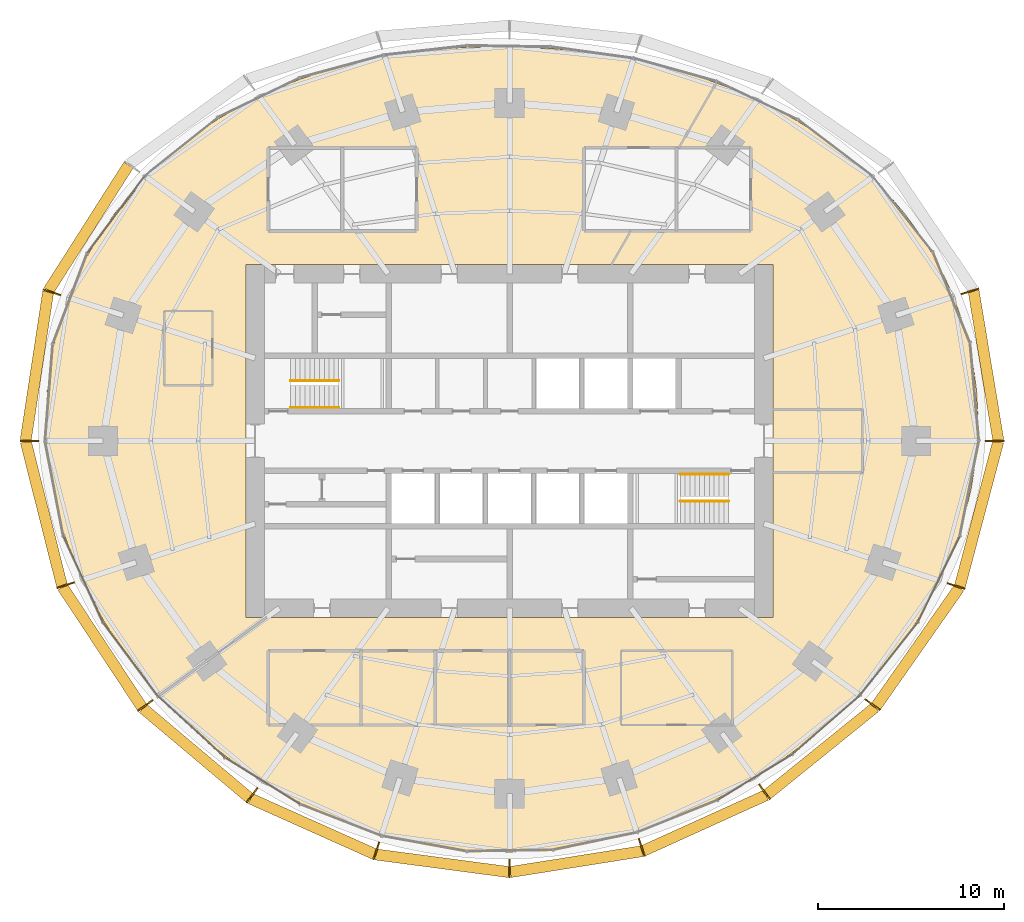
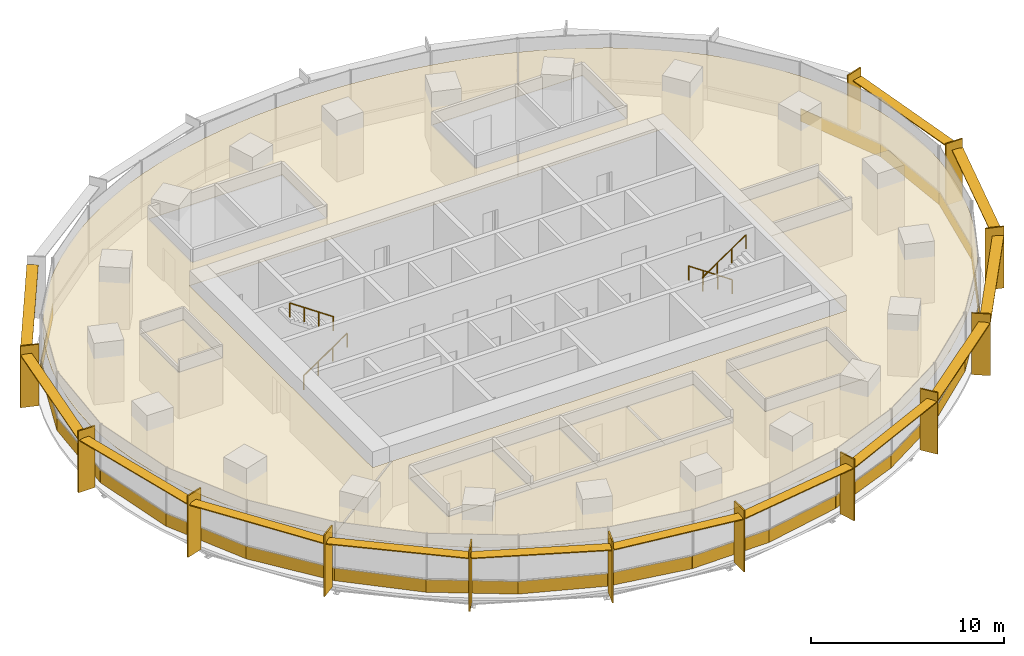
# One storey, part 13 of 14: 29 coverings, 26 shading devices, 4 railings.
"""IFC4 building model written with IfcOpenShell, lengths in metres."""

from ifc_helpers import new_model, si_unit, direction, frame, origin, origin_2d, place, context, subcontext, project, spatial, polyline, rectangle, circle, outline, extrude, material, layer, layer_set, type_object, element, save


model = new_model("IFC4")

# Units and contexts
model_context = context("Model", 3, precision=1e-05, world=origin(), true_north=direction((0.0, 1.0)))
body_context = subcontext(model_context, "Body", "Model", "MODEL_VIEW")
ifc_project = project(units=[si_unit("LENGTHUNIT", "METRE"), si_unit("AREAUNIT", "SQUARE_METRE"), si_unit("VOLUMEUNIT", "CUBIC_METRE"), si_unit("PLANEANGLEUNIT", "RADIAN"), si_unit("MASSUNIT", "GRAM", prefix="KILO")], contexts=[model_context])

# Site, building, storey
site_placement = place(None, origin())
site = spatial("IfcSite", under=ifc_project, at=site_placement, CompositionType="ELEMENT")
building_placement = place(site_placement, origin())
building = spatial("IfcBuilding", under=site, at=building_placement, Name="Marramba Exchange Tower", CompositionType="ELEMENT")
storey_placement = place(building_placement, frame((0.0, 0.0, 143.10009765625)))
storey = spatial("IfcBuildingStorey", under=building, at=storey_placement, Name="L34", CompositionType="ELEMENT", Elevation=143.10009765625)

# Shading devices
ifc_material_1 = material(Name="Aluminium blade, timber-look bronze finish", Category="wood")
ifc_layer_1 = layer(ifc_material_1, 0.080078125)
ifc_layer_set_1 = layer_set([ifc_layer_1], Name="Floor-edge blade 1000x80")
shading_device_type_1 = type_object("IfcShadingDeviceType", Name="Floor-edge blade 1000x80", PredefinedType="USERDEFINED", material=ifc_layer_set_1)
for number, where, z_axis, x_axis, name in (
    (1, (26.132080078125, 0.0, -0.16015625), (0.0, 0.0, 1.0), (1.0, 0.0, 0.0), "Floor-edge blade FB1 L34 TC01"),
    (2, (24.798583984375, 8.0576171875, -0.16015625), (0.0, 0.0, 1.0), (0.951056516295, 0.309016994375, 0.0), "Floor-edge blade FB1 L34 TC02"),
    (3, (-24.653076171875, 8.01025390625, -0.16015625), (0.0, 0.0, 1.0), (-0.951056516295, 0.309016994375, 0.0), "Floor-edge blade FB1 L34 TC10"),
    (4, (-25.867919921875, 0.0, -0.16015625), (0.0, 0.0, 1.0), (-1.0, 0.0, 0.0), "Floor-edge blade FB1 L34 TC11"),
    (5, (-23.90673828125, -7.767822265625, -0.16015625), (0.0, 0.0, 1.0), (-0.951056516295, -0.309016994375, 0.0), "Floor-edge blade FB1 L34 TC12"),
    (6, (-19.618408203125, -14.253662109375, -0.16015625), (0.0, 0.0, 1.0), (-0.809016994375, -0.587785252292, 0.0), "Floor-edge blade FB1 L34 TC13"),
    (7, (-13.866943359375, -19.08642578125, -0.16015625), (0.0, 0.0, 1.0), (-0.587785252292, -0.809016994375, 0.0), "Floor-edge blade FB1 L34 TC14"),
    (8, (-7.173828125, -22.078857421875, -0.16015625), (0.0, 0.0, 1.0), (-0.309016994375, -0.951056516295, 0.0), "Floor-edge blade FB1 L34 TC15"),
    (9, (0.0, -23.02685546875, -0.16015625), (0.0, 0.0, 1.0), (0.0, -1.0, 0.0), "Floor-edge blade FB1 L34 TC16"),
    (10, (7.115966796875, -21.900634765625, -0.16015625), (0.0, 0.0, 1.0), (0.309016994375, -0.951056516295, 0.0), "Floor-edge blade FB1 L34 TC17"),
    (11, (13.733154296875, -18.902099609375, -0.16015625), (0.0, 0.0, 1.0), (0.587785252292, -0.809016994375, 0.0), "Floor-edge blade FB1 L34 TC18"),
    (12, (19.555908203125, -14.208251953125, -0.16015625), (0.0, 0.0, 1.0), (0.809016994375, -0.587785252292, 0.0), "Floor-edge blade FB1 L34 TC19"),
    (13, (24.052001953125, -7.81494140625, -0.16015625), (0.0, 0.0, 1.0), (0.951056516295, -0.309016994375, 0.0), "Floor-edge blade FB1 L34 TC20"),
):
    element("IfcShadingDevice", number, at=place(storey_placement, frame(where, z_axis=z_axis, x_axis=x_axis)), inside=storey, type_object=shading_device_type_1, Name=name, ObjectType="FIN", PredefinedType="USERDEFINED", context=body_context, shape_type="SweptSolid", body=[
        extrude(rectangle(XDim=1.0, YDim=0.080078125, at=origin_2d()), origin(), (0.0, 0.0, 1.0), 3.89990234375),
    ])
ifc_material_2 = material(Name="Aluminium sunshade, bronze anodised", Category="aluminium")
ifc_layer_2 = layer(ifc_material_2, 0.06005859375)
ifc_layer_set_2 = layer_set([ifc_layer_2], Name="SUNSHADE blade 600x60")
shading_device_type_2 = type_object("IfcShadingDeviceType", Name="SUNSHADE blade 600x60", PredefinedType="USERDEFINED", material=ifc_layer_set_2)
shading_device_1_placement = place(storey_placement, frame((25.660400390625, 4.0595703125, 3.159912109375), z_axis=(0.0, 0.0, 1.0), x_axis=(-0.163227675764, 0.986588427798, 0.0)))
element("IfcShadingDevice", 14, at=shading_device_1_placement, inside=storey, type_object=shading_device_type_2, Name="Sunshade SS1 L34 bay 01", ObjectType="SUNSHADE", PredefinedType="USERDEFINED", context=body_context, shape_type="SweptSolid", body=[
    extrude(rectangle(XDim=8.149658203125, YDim=0.60009765625, at=origin_2d()), origin(), (0.0, 0.0, 1.0), 0.06005859375),
])
shading_device_2_placement = place(storey_placement, frame((-22.6708984375, 11.482421875, 3.159912109375), z_axis=(0.0, 0.0, 1.0), x_axis=(-0.537284770546, -0.843400898351, 0.0)))
element("IfcShadingDevice", 15, at=shading_device_2_placement, inside=storey, type_object=shading_device_type_2, Name="Sunshade SS1 L34 bay 09", ObjectType="SUNSHADE", PredefinedType="USERDEFINED", context=body_context, shape_type="SweptSolid", body=[
    extrude(rectangle(XDim=8.007080078125, YDim=0.60009765625, at=origin_2d()), origin(), (0.0, 0.0, 1.0), 0.06005859375),
])
shading_device_3_placement = place(storey_placement, frame((-25.455810546875, 4.0361328125, 3.159912109375), z_axis=(0.0, 0.0, 1.0), x_axis=(-0.14999307077, -0.988687047918, 0.0)))
element("IfcShadingDevice", 16, at=shading_device_3_placement, inside=storey, type_object=shading_device_type_2, Name="Sunshade SS1 L34 bay 10", ObjectType="SUNSHADE", PredefinedType="USERDEFINED", context=body_context, shape_type="SweptSolid", body=[
    extrude(rectangle(XDim=8.08447265625, YDim=0.60009765625, at=origin_2d()), origin(), (0.0, 0.0, 1.0), 0.06005859375),
])
shading_device_4_placement = place(storey_placement, frame((-25.08251953125, -3.914794921875, 3.159912109375), z_axis=(0.0, 0.0, 1.0), x_axis=(0.244116522902, -0.969745906537, 0.0)))
element("IfcShadingDevice", 17, at=shading_device_4_placement, inside=storey, type_object=shading_device_type_2, Name="Sunshade SS1 L34 bay 11", ObjectType="SUNSHADE", PredefinedType="USERDEFINED", context=body_context, shape_type="SweptSolid", body=[
    extrude(rectangle(XDim=7.993896484375, YDim=0.60009765625, at=origin_2d()), origin(), (0.0, 0.0, 1.0), 0.06005859375),
])
shading_device_5_placement = place(storey_placement, frame((-21.938720703125, -11.100341796875, 3.159912109375), z_axis=(0.0, 0.0, 1.0), x_axis=(0.550792342935, -0.834642315585, 0.0)))
element("IfcShadingDevice", 18, at=shading_device_5_placement, inside=storey, type_object=shading_device_type_2, Name="Sunshade SS1 L34 bay 12", ObjectType="SUNSHADE", PredefinedType="USERDEFINED", context=body_context, shape_type="SweptSolid", body=[
    extrude(rectangle(XDim=7.757568359375, YDim=0.60009765625, at=origin_2d()), origin(), (0.0, 0.0, 1.0), 0.06005859375),
])
shading_device_6_placement = place(storey_placement, frame((-16.88232421875, -16.8095703125, 3.159912109375), z_axis=(0.0, 0.0, 1.0), x_axis=(0.76513863304, -0.643865569998, 0.0)))
element("IfcShadingDevice", 19, at=shading_device_6_placement, inside=storey, type_object=shading_device_type_2, Name="Sunshade SS1 L34 bay 13", ObjectType="SUNSHADE", PredefinedType="USERDEFINED", context=body_context, shape_type="SweptSolid", body=[
    extrude(rectangle(XDim=7.49462890625, YDim=0.60009765625, at=origin_2d()), origin(), (0.0, 0.0, 1.0), 0.06005859375),
])
shading_device_7_placement = place(storey_placement, frame((-10.610107421875, -20.758544921875, 3.159912109375), z_axis=(0.0, 0.0, 1.0), x_axis=(0.912735880581, -0.408550134377, 0.0)))
element("IfcShadingDevice", 20, at=shading_device_7_placement, inside=storey, type_object=shading_device_type_2, Name="Sunshade SS1 L34 bay 14", ObjectType="SUNSHADE", PredefinedType="USERDEFINED", context=body_context, shape_type="SweptSolid", body=[
    extrude(rectangle(XDim=7.314208984375, YDim=0.60009765625, at=origin_2d()), origin(), (0.0, 0.0, 1.0), 0.06005859375),
])
shading_device_8_placement = place(storey_placement, frame((-3.617919921875, -22.748046875, 3.159912109375), z_axis=(0.0, 0.0, 1.0), x_axis=(0.991350478855, -0.131241106646, 0.0)))
element("IfcShadingDevice", 21, at=shading_device_8_placement, inside=storey, type_object=shading_device_type_2, Name="Sunshade SS1 L34 bay 15", ObjectType="SUNSHADE", PredefinedType="USERDEFINED", context=body_context, shape_type="SweptSolid", body=[
    extrude(rectangle(XDim=7.21875, YDim=0.60009765625, at=origin_2d()), origin(), (0.0, 0.0, 1.0), 0.06005859375),
])
shading_device_9_placement = place(storey_placement, frame((3.5888671875, -22.658935546875, 3.159912109375), z_axis=(0.0, 0.0, 1.0), x_axis=(0.987704817912, 0.15633039587, 0.0)))
element("IfcShadingDevice", 22, at=shading_device_9_placement, inside=storey, type_object=shading_device_type_2, Name="Sunshade SS1 L34 bay 16", ObjectType="SUNSHADE", PredefinedType="USERDEFINED", context=body_context, shape_type="SweptSolid", body=[
    extrude(rectangle(XDim=7.18701171875, YDim=0.60009765625, at=origin_2d()), origin(), (0.0, 0.0, 1.0), 0.06005859375),
])
shading_device_10_placement = place(storey_placement, frame((10.514404296875, -20.577392578125, 3.159912109375), z_axis=(0.0, 0.0, 1.0), x_axis=(0.910692240548, 0.413085515366, 0.0)))
element("IfcShadingDevice", 23, at=shading_device_10_placement, inside=storey, type_object=shading_device_type_2, Name="Sunshade SS1 L34 bay 17", ObjectType="SUNSHADE", PredefinedType="USERDEFINED", context=body_context, shape_type="SweptSolid", body=[
    extrude(rectangle(XDim=7.24755859375, YDim=0.60009765625, at=origin_2d()), origin(), (0.0, 0.0, 1.0), 0.06005859375),
])
shading_device_11_placement = place(storey_placement, frame((16.7841796875, -16.69482421875, 3.159912109375), z_axis=(0.0, 0.0, 1.0), x_axis=(0.777962439436, 0.628310785223, 0.0)))
element("IfcShadingDevice", 24, at=shading_device_11_placement, inside=storey, type_object=shading_device_type_2, Name="Sunshade SS1 L34 bay 18", ObjectType="SUNSHADE", PredefinedType="USERDEFINED", context=body_context, shape_type="SweptSolid", body=[
    extrude(rectangle(XDim=7.46142578125, YDim=0.60009765625, at=origin_2d()), origin(), (0.0, 0.0, 1.0), 0.06005859375),
])
shading_device_12_placement = place(storey_placement, frame((21.97998046875, -11.101318359375, 3.159912109375), z_axis=(0.0, 0.0, 1.0), x_axis=(0.574350885858, 0.818609222959, 0.0)))
element("IfcShadingDevice", 25, at=shading_device_12_placement, inside=storey, type_object=shading_device_type_2, Name="Sunshade SS1 L34 bay 19", ObjectType="SUNSHADE", PredefinedType="USERDEFINED", context=body_context, shape_type="SweptSolid", body=[
    extrude(rectangle(XDim=7.7978515625, YDim=0.60009765625, at=origin_2d()), origin(), (0.0, 0.0, 1.0), 0.06005859375),
])
shading_device_13_placement = place(storey_placement, frame((25.287109375, -3.9384765625, 3.159912109375), z_axis=(0.0, 0.0, 1.0), x_axis=(0.256422950151, 0.966564674833, 0.0)))
element("IfcShadingDevice", 26, at=shading_device_13_placement, inside=storey, type_object=shading_device_type_2, Name="Sunshade SS1 L34 bay 20", ObjectType="SUNSHADE", PredefinedType="USERDEFINED", context=body_context, shape_type="SweptSolid", body=[
    extrude(rectangle(XDim=8.0693359375, YDim=0.60009765625, at=origin_2d()), origin(), (0.0, 0.0, 1.0), 0.06005859375),
])

# Coverings
ifc_material_3 = material(Name="Aluminium spandrel panel, bronze anodised, insulated", Category="aluminium")
ifc_layer_3 = layer(ifc_material_3, 0.050048828125)
ifc_layer_set_3 = layer_set([ifc_layer_3], Name="Spandrel panel 800")
covering_type_1 = type_object("IfcCoveringType", Name="Spandrel panel 800", PredefinedType="CLADDING", material=ifc_layer_set_3)
covering_1_placement = place(storey_placement, frame((25.04541015625, 2.63671875, 0.0), z_axis=(0.0, 0.0, 1.0), x_axis=(-0.089412890131, 0.995994646109, 0.0)))
element("IfcCovering", 27, at=covering_1_placement, inside=storey, type_object=covering_type_1, Name="Spandrel panel SP1 L34 F01", PredefinedType="CLADDING", context=body_context, shape_type="SweptSolid", body=[
    extrude(rectangle(XDim=5.29443359375, YDim=0.050048828125, at=origin_2d()), origin(), (0.0, 0.0, 1.0), 0.800048828125),
])
covering_2_placement = place(storey_placement, frame((23.81201171875, 7.715576171875, 0.0), z_axis=(0.0, 0.0, 1.0), x_axis=(-0.377821185272, 0.925878583811, 0.0)))
element("IfcCovering", 28, at=covering_2_placement, inside=storey, type_object=covering_type_1, Name="Spandrel panel SP1 L34 F02", PredefinedType="CLADDING", context=body_context, shape_type="SweptSolid", body=[
    extrude(rectangle(XDim=5.27587890625, YDim=0.050048828125, at=origin_2d()), origin(), (0.0, 0.0, 1.0), 0.800048828125),
])
covering_3_placement = place(storey_placement, frame((-21.19580078125, 12.20068359375, 0.0), z_axis=(0.0, 0.0, 1.0), x_axis=(-0.597703998161, -0.801716864349, 0.0)))
element("IfcCovering", 29, at=covering_3_placement, inside=storey, type_object=covering_type_1, Name="Spandrel panel SP1 L34 F13", PredefinedType="CLADDING", context=body_context, shape_type="SweptSolid", body=[
    extrude(rectangle(XDim=5.17626953125, YDim=0.050048828125, at=origin_2d()), origin(), (0.0, 0.0, 1.0), 0.800048828125),
])
covering_4_placement = place(storey_placement, frame((-23.671875, 7.677490234375, 0.0), z_axis=(0.0, 0.0, 1.0), x_axis=(-0.354844476365, -0.934925343326, 0.0)))
element("IfcCovering", 30, at=covering_4_placement, inside=storey, type_object=covering_type_1, Name="Spandrel panel SP1 L34 F14", PredefinedType="CLADDING", context=body_context, shape_type="SweptSolid", body=[
    extrude(rectangle(XDim=5.2373046875, YDim=0.050048828125, at=origin_2d()), origin(), (0.0, 0.0, 1.0), 0.800048828125),
])
covering_5_placement = place(storey_placement, frame((-24.8095703125, 2.614501953125, 0.0), z_axis=(0.0, 0.0, 1.0), x_axis=(-0.079459700697, -0.996838079111, 0.0)))
element("IfcCovering", 31, at=covering_5_placement, inside=storey, type_object=covering_type_1, Name="Spandrel panel SP1 L34 F15", PredefinedType="CLADDING", context=body_context, shape_type="SweptSolid", body=[
    extrude(rectangle(XDim=5.245849609375, YDim=0.050048828125, at=origin_2d()), origin(), (0.0, 0.0, 1.0), 0.800048828125),
])
covering_6_placement = place(storey_placement, frame((-24.5283203125, -2.5546875, 0.0), z_axis=(0.0, 0.0, 1.0), x_axis=(0.188227222909, -0.982125507538, 0.0)))
element("IfcCovering", 32, at=covering_6_placement, inside=storey, type_object=covering_type_1, Name="Spandrel panel SP1 L34 F16", PredefinedType="CLADDING", context=body_context, shape_type="SweptSolid", body=[
    extrude(rectangle(XDim=5.20263671875, YDim=0.050048828125, at=origin_2d()), origin(), (0.0, 0.0, 1.0), 0.800048828125),
])
covering_7_placement = place(storey_placement, frame((-22.973876953125, -7.43212890625, 0.0), z_axis=(0.0, 0.0, 1.0), x_axis=(0.416737850896, -0.909026712275, 0.0)))
element("IfcCovering", 33, at=covering_7_placement, inside=storey, type_object=covering_type_1, Name="Spandrel panel SP1 L34 F17", PredefinedType="CLADDING", context=body_context, shape_type="SweptSolid", body=[
    extrude(rectangle(XDim=5.10986328125, YDim=0.050048828125, at=origin_2d()), origin(), (0.0, 0.0, 1.0), 0.800048828125),
])
covering_8_placement = place(storey_placement, frame((-20.419921875, -11.75439453125, 0.0), z_axis=(0.0, 0.0, 1.0), x_axis=(0.597304701232, -0.802014397555, 0.0)))
element("IfcCovering", 34, at=covering_8_placement, inside=storey, type_object=covering_type_1, Name="Spandrel panel SP1 L34 F18", PredefinedType="CLADDING", context=body_context, shape_type="SweptSolid", body=[
    extrude(rectangle(XDim=4.986572265625, YDim=0.050048828125, at=origin_2d()), origin(), (0.0, 0.0, 1.0), 0.800048828125),
])
covering_9_placement = place(storey_placement, frame((-17.135986328125, -15.39599609375, 0.0), z_axis=(0.0, 0.0, 1.0), x_axis=(0.737821889246, -0.674995451651, 0.0)))
element("IfcCovering", 35, at=covering_9_placement, inside=storey, type_object=covering_type_1, Name="Spandrel panel SP1 L34 F19", PredefinedType="CLADDING", context=body_context, shape_type="SweptSolid", body=[
    extrude(rectangle(XDim=4.865234375, YDim=0.050048828125, at=origin_2d()), origin(), (0.0, 0.0, 1.0), 0.800048828125),
])
covering_10_placement = place(storey_placement, frame((-13.31787109375, -18.300537109375, 0.0), z_axis=(0.0, 0.0, 1.0), x_axis=(0.848354599309, -0.529428440708, 0.0)))
element("IfcCovering", 36, at=covering_10_placement, inside=storey, type_object=covering_type_1, Name="Spandrel panel SP1 L34 F20", PredefinedType="CLADDING", context=body_context, shape_type="SweptSolid", body=[
    extrude(rectangle(XDim=4.76953125, YDim=0.050048828125, at=origin_2d()), origin(), (0.0, 0.0, 1.0), 0.800048828125),
])
covering_11_placement = place(storey_placement, frame((-9.10302734375, -20.416748046875, 0.0), z_axis=(0.0, 0.0, 1.0), x_axis=(0.931818387481, -0.362924913381, 0.0)))
element("IfcCovering", 37, at=covering_11_placement, inside=storey, type_object=covering_type_1, Name="Spandrel panel SP1 L34 F21", PredefinedType="CLADDING", context=body_context, shape_type="SweptSolid", body=[
    extrude(rectangle(XDim=4.704345703125, YDim=0.050048828125, at=origin_2d()), origin(), (0.0, 0.0, 1.0), 0.800048828125),
])
covering_12_placement = place(storey_placement, frame((-4.616943359375, -21.685302734375, 0.0), z_axis=(0.0, 0.0, 1.0), x_axis=(0.984031866928, -0.177992373069, 0.0)))
element("IfcCovering", 38, at=covering_12_placement, inside=storey, type_object=covering_type_1, Name="Spandrel panel SP1 L34 F22", PredefinedType="CLADDING", context=body_context, shape_type="SweptSolid", body=[
    extrude(rectangle(XDim=4.662841796875, YDim=0.050048828125, at=origin_2d()), origin(), (0.0, 0.0, 1.0), 0.800048828125),
])
covering_13_placement = place(storey_placement, frame((-0.003662109375, -22.065185546875, 0.0), z_axis=(0.0, 0.0, 1.0), x_axis=(0.999884797651, 0.015178650325, 0.0)))
element("IfcCovering", 39, at=covering_13_placement, inside=storey, type_object=covering_type_1, Name="Spandrel panel SP1 L34 F23", PredefinedType="CLADDING", context=body_context, shape_type="SweptSolid", body=[
    extrude(rectangle(XDim=4.638916015625, YDim=0.050048828125, at=origin_2d()), origin(), (0.0, 0.0, 1.0), 0.800048828125),
])
covering_14_placement = place(storey_placement, frame((4.58447265625, -21.56103515625, 0.0), z_axis=(0.0, 0.0, 1.0), x_axis=(0.979310200528, 0.202364846604, 0.0)))
element("IfcCovering", 40, at=covering_14_placement, inside=storey, type_object=covering_type_1, Name="Spandrel panel SP1 L34 F24", PredefinedType="CLADDING", context=body_context, shape_type="SweptSolid", body=[
    extrude(rectangle(XDim=4.6337890625, YDim=0.050048828125, at=origin_2d()), origin(), (0.0, 0.0, 1.0), 0.800048828125),
])
covering_15_placement = place(storey_placement, frame((9.014892578125, -20.225341796875, 0.0), z_axis=(0.0, 0.0, 1.0), x_axis=(0.928148914987, 0.372209069755, 0.0)))
element("IfcCovering", 41, at=covering_15_placement, inside=storey, type_object=covering_type_1, Name="Spandrel panel SP1 L34 F25", PredefinedType="CLADDING", context=body_context, shape_type="SweptSolid", body=[
    extrude(rectangle(XDim=4.657958984375, YDim=0.050048828125, at=origin_2d()), origin(), (0.0, 0.0, 1.0), 0.800048828125),
])
covering_16_placement = place(storey_placement, frame((13.193115234375, -18.125244140625, 0.0), z_axis=(0.0, 0.0, 1.0), x_axis=(0.853109118827, 0.521732528576, 0.0)))
element("IfcCovering", 42, at=covering_16_placement, inside=storey, type_object=covering_type_1, Name="Spandrel panel SP1 L34 F26", PredefinedType="CLADDING", context=body_context, shape_type="SweptSolid", body=[
    extrude(rectangle(XDim=4.7275390625, YDim=0.050048828125, at=origin_2d()), origin(), (0.0, 0.0, 1.0), 0.800048828125),
])
covering_17_placement = place(storey_placement, frame((17.038818359375, -15.30029296875, 0.0), z_axis=(0.0, 0.0, 1.0), x_axis=(0.754385510875, 0.656431642277, 0.0)))
element("IfcCovering", 43, at=covering_17_placement, inside=storey, type_object=covering_type_1, Name="Spandrel panel SP1 L34 F27", PredefinedType="CLADDING", context=body_context, shape_type="SweptSolid", body=[
    extrude(rectangle(XDim=4.849609375, YDim=0.050048828125, at=origin_2d()), origin(), (0.0, 0.0, 1.0), 0.800048828125),
])
covering_18_placement = place(storey_placement, frame((20.425048828125, -11.747802734375, 0.0), z_axis=(0.0, 0.0, 1.0), x_axis=(0.621807470279, 0.783170141097, 0.0)))
element("IfcCovering", 44, at=covering_18_placement, inside=storey, type_object=covering_type_1, Name="Spandrel panel SP1 L34 F28", PredefinedType="CLADDING", context=body_context, shape_type="SweptSolid", body=[
    extrude(rectangle(XDim=5.00732421875, YDim=0.050048828125, at=origin_2d()), origin(), (0.0, 0.0, 1.0), 0.800048828125),
])
covering_19_placement = place(storey_placement, frame((23.114013671875, -7.47021484375, 0.0), z_axis=(0.0, 0.0, 1.0), x_axis=(0.439086346903, 0.898444867515, 0.0)))
element("IfcCovering", 45, at=covering_19_placement, inside=storey, type_object=covering_type_1, Name="Spandrel panel SP1 L34 F29", PredefinedType="CLADDING", context=body_context, shape_type="SweptSolid", body=[
    extrude(rectangle(XDim=5.156982421875, YDim=0.050048828125, at=origin_2d()), origin(), (0.0, 0.0, 1.0), 0.800048828125),
])
covering_20_placement = place(storey_placement, frame((24.76416015625, -2.576904296875, 0.0), z_axis=(0.0, 0.0, 1.0), x_axis=(0.197048514193, 0.980393738788, 0.0)))
element("IfcCovering", 46, at=covering_20_placement, inside=storey, type_object=covering_type_1, Name="Spandrel panel SP1 L34 F30", PredefinedType="CLADDING", context=body_context, shape_type="SweptSolid", body=[
    extrude(rectangle(XDim=5.2568359375, YDim=0.050048828125, at=origin_2d()), origin(), (0.0, 0.0, 1.0), 0.800048828125),
])

# Railings
ifc_material_4 = material(Name="Stainless steel handrail", Category="steel")
railing_type = type_object("IfcRailingType", Name="Stair handrail 900", PredefinedType="HANDRAIL", material=ifc_material_4)
railing_1_placement = place(storey_placement, frame((-11.800048828125, 1.800048828125, 0.17724609375)))
element("IfcRailing", 47, at=railing_1_placement, inside=storey, type_object=railing_type, Name="Handrail HR1 ST1 L34 flight 1", PredefinedType="HANDRAIL", context=body_context, shape_type="SweptSolid", body=[
    extrude(circle(Radius=0.02392578125, at=origin_2d()), frame((0.0, 0.0, 0.8759765625), z_axis=(0.826240473404, 0.0, 0.563317565952), x_axis=(0.0, 1.0, 0.0)), (0.0, 0.0, 1.0), 3.14697265625),
    extrude(circle(Radius=0.02099609375, at=origin_2d()), origin(), (0.0, 0.0, 1.0), 0.851806640625),
    extrude(circle(Radius=0.02099609375, at=origin_2d()), frame((0.86669921875, 0.0, 0.5908203125)), (0.0, 0.0, 1.0), 0.851806640625),
    extrude(circle(Radius=0.02099609375, at=origin_2d()), frame((1.7333984375, 0.0, 1.181884765625)), (0.0, 0.0, 1.0), 0.851806640625),
    extrude(circle(Radius=0.02099609375, at=origin_2d()), frame((2.60009765625, 0.0, 1.772705078125)), (0.0, 0.0, 1.0), 0.851806640625),
])
for number, where, name in (
    (48, (-9.199951171875, 3.25, 2.127197265625), "Handrail HR1 ST1 L34 flight 2"),
    (49, (11.800048828125, -1.800048828125, 0.17724609375), "Handrail HR1 ST2 L34 flight 1"),
):
    element("IfcRailing", number, at=place(storey_placement, frame(where)), inside=storey, type_object=railing_type, Name=name, PredefinedType="HANDRAIL", context=body_context, shape_type="SweptSolid", body=[
        extrude(circle(Radius=0.02392578125, at=origin_2d()), frame((0.0, 0.0, 0.8759765625), z_axis=(-0.826240473404, 0.0, 0.563317565952), x_axis=(0.0, -1.0, 0.0)), (0.0, 0.0, 1.0), 3.14697265625),
        extrude(circle(Radius=0.02099609375, at=origin_2d()), origin(), (0.0, 0.0, 1.0), 0.851806640625),
        extrude(circle(Radius=0.02099609375, at=origin_2d()), frame((-0.86669921875, 0.0, 0.5908203125)), (0.0, 0.0, 1.0), 0.851806640625),
        extrude(circle(Radius=0.02099609375, at=origin_2d()), frame((-1.7333984375, 0.0, 1.181884765625)), (0.0, 0.0, 1.0), 0.851806640625),
        extrude(circle(Radius=0.02099609375, at=origin_2d()), frame((-2.60009765625, 0.0, 1.772705078125)), (0.0, 0.0, 1.0), 0.851806640625),
    ])
railing_2_placement = place(storey_placement, frame((9.199951171875, -3.25, 2.127197265625)))
element("IfcRailing", 50, at=railing_2_placement, inside=storey, type_object=railing_type, Name="Handrail HR1 ST2 L34 flight 2", PredefinedType="HANDRAIL", context=body_context, shape_type="SweptSolid", body=[
    extrude(circle(Radius=0.02392578125, at=origin_2d()), frame((0.0, 0.0, 0.8759765625), z_axis=(0.826240473404, 0.0, 0.563317565952), x_axis=(0.0, 1.0, 0.0)), (0.0, 0.0, 1.0), 3.14697265625),
    extrude(circle(Radius=0.02099609375, at=origin_2d()), origin(), (0.0, 0.0, 1.0), 0.851806640625),
    extrude(circle(Radius=0.02099609375, at=origin_2d()), frame((0.86669921875, 0.0, 0.5908203125)), (0.0, 0.0, 1.0), 0.851806640625),
    extrude(circle(Radius=0.02099609375, at=origin_2d()), frame((1.7333984375, 0.0, 1.181884765625)), (0.0, 0.0, 1.0), 0.851806640625),
    extrude(circle(Radius=0.02099609375, at=origin_2d()), frame((2.60009765625, 0.0, 1.772705078125)), (0.0, 0.0, 1.0), 0.851806640625),
])

# Coverings
ifc_material_5 = material(Name="Mineral fibre ceiling tiles", Category="gypsum")
ifc_layer_4 = layer(ifc_material_5, 0.02001953125)
ifc_layer_set_4 = layer_set([ifc_layer_4], Name="Suspended ceiling 20")
covering_type_2 = type_object("IfcCoveringType", Name="Suspended ceiling 20", PredefinedType="CEILING", material=ifc_layer_set_4)
covering_21_placement = place(storey_placement, frame((0.0, 0.0, 2.89990234375)))
element("IfcCovering", 51, at=covering_21_placement, inside=storey, type_object=covering_type_2, Name="Ceiling CL1 L34 Software Development Office", PredefinedType="CEILING", context=body_context, shape_type="SweptSolid", body=[
    extrude(outline(polyline([(-14.199951171875, -9.5), (-13.07568359375, -9.5), (-18.865966796875, -13.706787109375), (-19.673095703125, -12.77587890625), (-20.439697265625, -11.80078125), (-21.162109375, -10.78271484375), (-21.836181640625, -9.72216796875), (-22.457763671875, -8.62060546875), (-23.022216796875, -7.48046875), (-23.52490234375, -6.303466796875), (-23.96044921875, -5.093017578125), (-24.32421875, -3.8525390625), (-24.611083984375, -2.586669921875), (-24.81689453125, -1.300537109375), (-24.93798828125, 0.0), (-24.970947265625, 1.30859375), (-24.913330078125, 2.618408203125), (-24.76416015625, 3.92236328125), (-24.52294921875, 5.21240234375), (-24.1904296875, 6.481689453125), (-23.768798828125, 7.722900390625), (-23.260498046875, 8.928955078125), (-22.669677734375, 10.09326171875), (-22.0009765625, 11.2099609375), (-21.259765625, 12.2744140625), (-20.451904296875, 13.28173828125), (-19.583984375, 14.228759765625), (-18.66259765625, 15.11279296875), (-17.6943359375, 15.93212890625), (-16.685791015625, 16.685791015625), (-15.643798828125, 17.374267578125), (-14.57421875, 17.99755859375), (-13.482666015625, 18.55712890625), (-12.37451171875, 19.05517578125), (-11.2548828125, 19.493896484375), (-10.127197265625, 19.875732421875), (-8.995361328125, 20.203857421875), (-7.862060546875, 20.4814453125), (-6.7294921875, 20.711181640625), (-5.59912109375, 20.896484375), (-4.47216796875, 21.0400390625), (-3.34912109375, 21.14453125), (-2.2294921875, 21.212158203125), (-1.11328125, 21.244384765625), (0.0, 21.2431640625), (1.111572265625, 21.208740234375), (2.22216796875, 21.1416015625), (3.332763671875, 21.041748046875), (4.444091796875, 20.907958984375), (5.556884765625, 20.739013671875), (6.671630859375, 20.533203125), (7.787841796875, 20.287841796875), (8.905029296875, 20.0009765625), (10.02197265625, 19.6689453125), (11.13671875, 19.289306640625), (9.1220703125, 15.800048828125), (9.0, 15.800048828125), (4.0, 15.800048828125), (4.0, 11.300048828125), (6.52392578125, 11.300048828125), (5.48486328125, 9.5), (-14.199951171875, 9.5), (-14.199951171875, -9.5)]), holes=[polyline([(-13.0, 11.300048828125), (-9.0, 11.300048828125), (-5.0, 11.300048828125), (-5.0, 15.800048828125), (-9.0, 15.800048828125), (-13.0, 15.800048828125), (-13.0, 11.300048828125)]), polyline([(-18.60009765625, 3.0), (-16.0, 3.0), (-16.0, 7.0), (-18.60009765625, 7.0), (-18.60009765625, 3.0)])]), origin(), (0.0, 0.0, 1.0), 0.02001953125),
])
covering_22_placement = place(storey_placement, frame((0.0, 0.0, 2.89990234375)))
element("IfcCovering", 52, at=covering_22_placement, inside=storey, type_object=covering_type_2, Name="Ceiling CL1 L34 Service Desk Office", PredefinedType="CEILING", context=body_context, shape_type="SweptSolid", body=[
    extrude(outline(polyline([(14.199951171875, -9.5), (14.199951171875, -1.699951171875), (19.0, -1.699951171875), (19.0, 1.699951171875), (14.199951171875, 1.699951171875), (14.199951171875, 9.5), (5.48486328125, 9.5), (6.52392578125, 11.300048828125), (9.0, 11.300048828125), (13.0, 11.300048828125), (13.0, 15.800048828125), (9.1220703125, 15.800048828125), (11.13671875, 19.289306640625), (12.24658203125, 18.8583984375), (13.348876953125, 18.373046875), (14.43896484375, 17.830810546875), (15.512451171875, 17.228271484375), (16.563720703125, 16.563720703125), (17.5869140625, 15.835205078125), (18.5751953125, 15.041748046875), (19.521484375, 14.18310546875), (20.4189453125, 13.26025390625), (21.259765625, 12.2744140625), (22.03662109375, 11.228271484375), (22.7421875, 10.12548828125), (23.3701171875, 8.970947265625), (23.9140625, 7.77001953125), (24.368896484375, 6.529541015625), (24.73046875, 5.256591796875), (24.99560546875, 3.958984375), (25.16259765625, 2.644775390625), (25.231201171875, 1.322265625), (25.201904296875, 0.0), (25.077392578125, -1.314208984375), (24.8603515625, -2.61279296875), (24.555419921875, -3.88916015625), (24.16796875, -5.136962890625), (23.703125, -6.351318359375), (23.16748046875, -7.527587890625), (22.5673828125, -8.662841796875), (21.90869140625, -9.75439453125), (21.197509765625, -10.80078125), (20.439697265625, -11.80078125), (19.64013671875, -12.75439453125), (18.803466796875, -13.66162109375), (17.93359375, -14.5224609375), (17.033935546875, -15.33740234375), (16.107421875, -16.107421875), (15.156005859375, -16.83251953125), (14.181884765625, -17.51318359375), (13.1865234375, -18.14990234375), (12.171142578125, -18.741943359375), (11.13671875, -19.289306640625), (10.083984375, -19.791259765625), (9.0146484375, -20.2470703125), (7.928955078125, -20.65576171875), (6.82861328125, -21.01611328125), (5.714599609375, -21.3271484375), (4.58837890625, -21.587158203125), (3.4521484375, -21.79541015625), (2.30712890625, -21.950439453125), (1.15576171875, -22.05126953125), (0.0, -22.096923828125), (-1.157470703125, -22.0869140625), (-2.314453125, -22.020751953125), (-3.468505859375, -21.898193359375), (-4.61669921875, -21.719482421875), (-5.7568359375, -21.484619140625), (-6.886474609375, -21.1943359375), (-8.00341796875, -20.84912109375), (-9.10498046875, -20.4501953125), (-10.189453125, -19.997802734375), (-11.2548828125, -19.493896484375), (-12.299072265625, -18.938720703125), (-13.3203125, -18.333984375), (-14.317138671875, -17.68017578125), (-15.28759765625, -16.978515625), (-16.229736328125, -16.229736328125), (-17.1416015625, -15.434326171875), (-18.021240234375, -14.59326171875), (-18.865966796875, -13.706787109375), (-14.729248046875, -10.701416015625), (-13.07568359375, -9.5), (14.199951171875, -9.5)]), holes=[polyline([(6.0, -11.300048828125), (6.0, -15.300048828125), (12.0, -15.300048828125), (12.0, -11.300048828125), (6.0, -11.300048828125)]), polyline([(-13.0, -15.300048828125), (-8.0, -15.300048828125), (-4.0, -15.300048828125), (0.0, -15.300048828125), (4.0, -15.300048828125), (4.0, -11.300048828125), (0.0, -11.300048828125), (-4.0, -11.300048828125), (-8.0, -11.300048828125), (-13.0, -11.300048828125), (-13.0, -15.300048828125)])]), origin(), (0.0, 0.0, 1.0), 0.02001953125),
])
covering_23_placement = place(storey_placement, frame((0.0, 0.0, 2.89990234375)))
element("IfcCovering", 53, at=covering_23_placement, inside=storey, type_object=covering_type_2, Name="Ceiling CL1 L34 Corridor", PredefinedType="CEILING", context=body_context, shape_type="SweptSolid", body=[
    extrude(outline(polyline([(14.199951171875, -1.699951171875), (14.199951171875, 1.699951171875), (19.0, 1.699951171875), (19.0, -1.699951171875), (14.199951171875, -1.699951171875)])), origin(), (0.0, 0.0, 1.0), 0.02001953125),
])
covering_24_placement = place(storey_placement, frame((0.0, 0.0, 2.89990234375)))
element("IfcCovering", 54, at=covering_24_placement, inside=storey, type_object=covering_type_2, Name="Ceiling CL1 L34 Meeting Room 3", PredefinedType="CEILING", context=body_context, shape_type="SweptSolid", body=[
    extrude(outline(polyline([(-8.0, -15.300048828125), (-13.0, -15.300048828125), (-13.0, -11.300048828125), (-8.0, -11.300048828125), (-8.0, -15.300048828125)])), origin(), (0.0, 0.0, 1.0), 0.02001953125),
])
covering_25_placement = place(storey_placement, frame((0.0, 0.0, 2.89990234375)))
element("IfcCovering", 55, at=covering_25_placement, inside=storey, type_object=covering_type_2, Name="Ceiling CL1 L34 Quiet Room 1", PredefinedType="CEILING", context=body_context, shape_type="SweptSolid", body=[
    extrude(outline(polyline([(-4.0, -15.300048828125), (-8.0, -15.300048828125), (-8.0, -11.300048828125), (-4.0, -11.300048828125), (-4.0, -15.300048828125)])), origin(), (0.0, 0.0, 1.0), 0.02001953125),
])
covering_26_placement = place(storey_placement, frame((0.0, 0.0, 2.89990234375)))
element("IfcCovering", 56, at=covering_26_placement, inside=storey, type_object=covering_type_2, Name="Ceiling CL1 L34 Quiet Room 2", PredefinedType="CEILING", context=body_context, shape_type="SweptSolid", body=[
    extrude(outline(polyline([(0.0, -15.300048828125), (-4.0, -15.300048828125), (-4.0, -11.300048828125), (0.0, -11.300048828125), (0.0, -15.300048828125)])), origin(), (0.0, 0.0, 1.0), 0.02001953125),
])
covering_27_placement = place(storey_placement, frame((0.0, 0.0, 2.89990234375)))
element("IfcCovering", 57, at=covering_27_placement, inside=storey, type_object=covering_type_2, Name="Ceiling CL1 L34 Quiet Room 3", PredefinedType="CEILING", context=body_context, shape_type="SweptSolid", body=[
    extrude(outline(polyline([(4.0, -15.300048828125), (0.0, -15.300048828125), (0.0, -11.300048828125), (4.0, -11.300048828125), (4.0, -15.300048828125)])), origin(), (0.0, 0.0, 1.0), 0.02001953125),
])
covering_28_placement = place(storey_placement, frame((0.0, 0.0, 2.89990234375)))
element("IfcCovering", 58, at=covering_28_placement, inside=storey, type_object=covering_type_2, Name="Ceiling CL1 L34 Pantry", PredefinedType="CEILING", context=body_context, shape_type="SweptSolid", body=[
    extrude(outline(polyline([(12.0, -15.300048828125), (6.0, -15.300048828125), (6.0, -11.300048828125), (12.0, -11.300048828125), (12.0, -15.300048828125)])), origin(), (0.0, 0.0, 1.0), 0.02001953125),
])
covering_29_placement = place(storey_placement, frame((0.0, 0.0, 2.89990234375)))
element("IfcCovering", 59, at=covering_29_placement, inside=storey, type_object=covering_type_2, Name="Ceiling CL1 L34 Print Room", PredefinedType="CEILING", context=body_context, shape_type="SweptSolid", body=[
    extrude(outline(polyline([(-16.0, 3.0), (-18.60009765625, 3.0), (-18.60009765625, 7.0), (-16.0, 7.0), (-16.0, 3.0)])), origin(), (0.0, 0.0, 1.0), 0.02001953125),
])

save(model, "model.ifc")
